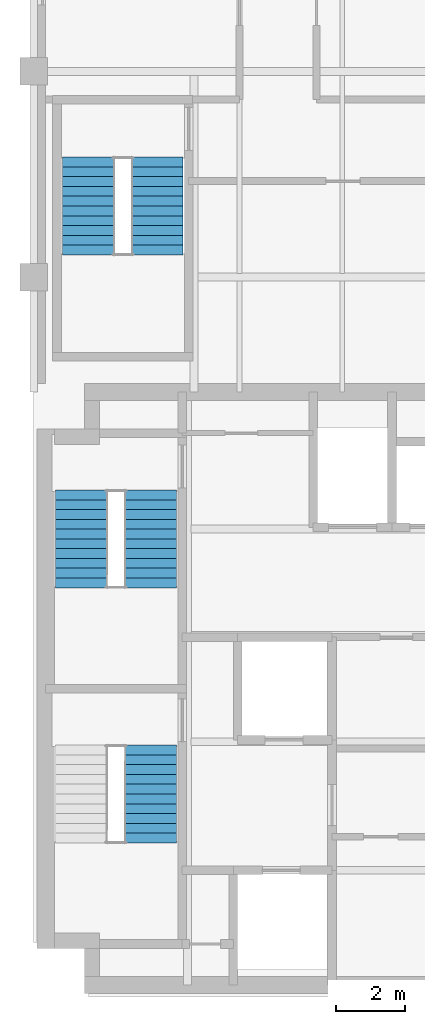
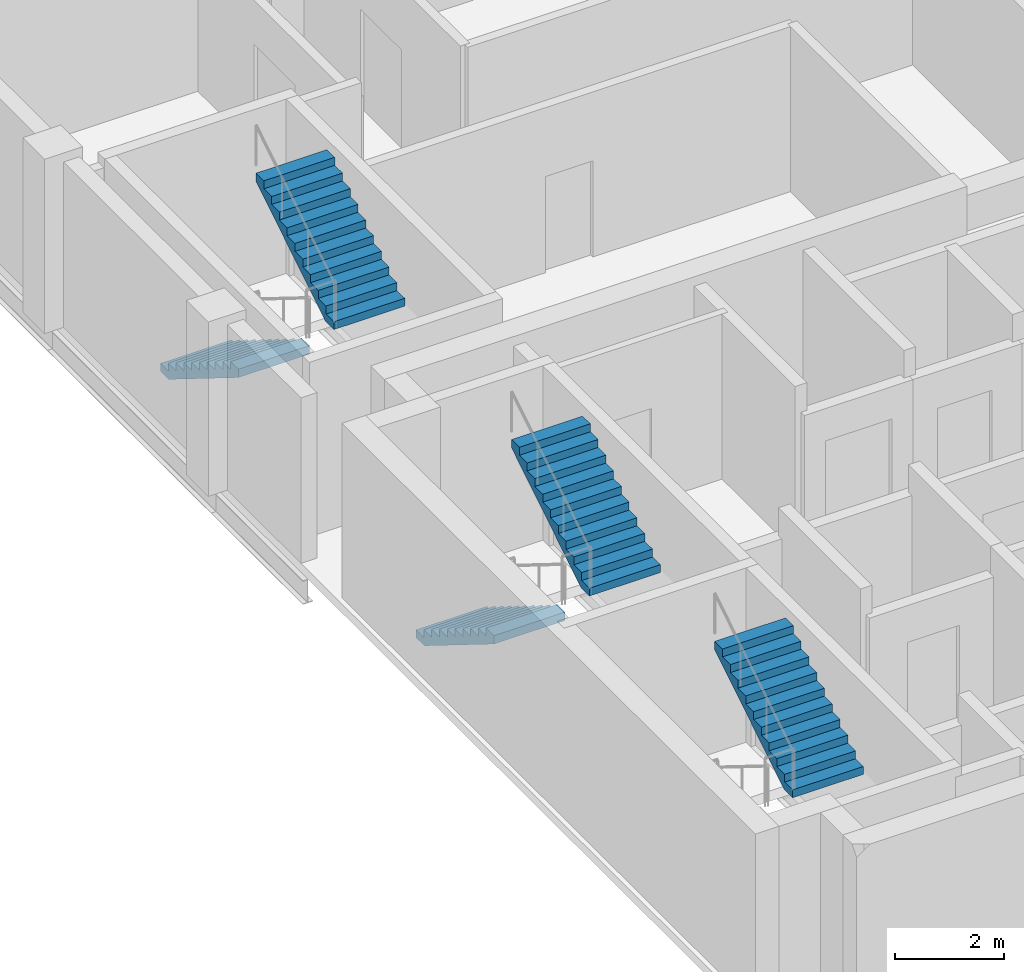
# One storey, part 5 of 6: 5 stair flights, 3 elements without a shape of their own.
"""IFC4 building model written with IfcOpenShell, lengths in metres."""

from ifc_helpers import new_model, si_unit, direction, frame, origin, place, context, subcontext, project, spatial, polyline, outline, extrude, material, type_object, element, aggregate, save


model = new_model("IFC4")

# Units and contexts
model_context = context("Model", 3, precision=1e-05, world=origin(), true_north=direction((0.0, 1.0)))
body_context = subcontext(model_context, "Body", "Model", "MODEL_VIEW")
ifc_project = project(units=[si_unit("LENGTHUNIT", "METRE"), si_unit("AREAUNIT", "SQUARE_METRE"), si_unit("VOLUMEUNIT", "CUBIC_METRE"), si_unit("PLANEANGLEUNIT", "RADIAN"), si_unit("MASSUNIT", "GRAM", prefix="KILO")], contexts=[model_context])

# Site, building, storey
site_placement = place(None, origin())
site = spatial("IfcSite", under=ifc_project, at=site_placement, CompositionType="ELEMENT")
building_placement = place(site_placement, origin())
building = spatial("IfcBuilding", under=site, at=building_placement, Name="Mawjdan Bourse Tower", CompositionType="ELEMENT")
storey_placement = place(building_placement, frame((0.0, 0.0, 243.0)))
storey = spatial("IfcBuildingStorey", under=building, at=storey_placement, Name="L59", CompositionType="ELEMENT", Elevation=243.0)

# Stair, stair flight
ifc_material = material(Name="Concrete C50/60", Category="concrete")
stair_type = type_object("IfcStairType", Name="STR-CORE-1500", PredefinedType="HALF_TURN_STAIR", material=ifc_material)
stair_1_placement = place(storey_placement, origin())
stair_1 = element("IfcStair", 1, at=stair_1_placement, inside=storey, type_object=stair_type, Name="L59 Exit Stair 1 (Core South-West)", PredefinedType="HALF_TURN_STAIR")
stair_flight_type = type_object("IfcStairFlightType", Name="SFL-RC-1500", PredefinedType="STRAIGHT", material=ifc_material)
stair_flight_1_placement = place(storey_placement, frame((9.409912109375, 7.5, 1.949951171875), z_axis=(0.0, 0.0, 1.0), x_axis=(0.0, 1.0, 0.0)))
stair_flight_1 = element("IfcStairFlight", 2, at=stair_flight_1_placement, type_object=stair_flight_type, Name="ST1-L59 flight 2", NumberOfRisers=11, NumberOfTreads=10, PredefinedType="STRAIGHT", RiserHeight=0.177273, TreadLength=0.285, context=body_context, shape_type="SweptSolid", body=[
    extrude(outline(polyline([(0.0, 0.0), (0.0, 0.17724609375), (0.284912109375, 0.17724609375), (0.284912109375, 0.3544921875), (0.570068359375, 0.3544921875), (0.570068359375, 0.53173828125), (0.85498046875, 0.53173828125), (0.85498046875, 0.708984375), (1.139892578125, 0.708984375), (1.139892578125, 0.886474609375), (1.425048828125, 0.886474609375), (1.425048828125, 1.063720703125), (1.7099609375, 1.063720703125), (1.7099609375, 1.240966796875), (1.9951171875, 1.240966796875), (1.9951171875, 1.418212890625), (2.280029296875, 1.418212890625), (2.280029296875, 1.595458984375), (2.56494140625, 1.595458984375), (2.56494140625, 1.772705078125), (2.85009765625, 1.772705078125), (2.85009765625, 1.949951171875), (2.85009765625, 1.58447265625), (0.302734375, 0.0), (0.0, 0.0)])), frame((0.0, 0.75, 0.0), z_axis=(0.0, -1.0, 0.0), x_axis=(1.0, 0.0, 0.0)), (0.0, 0.0, 1.0), 1.5),
])
aggregate(stair_1, [stair_flight_1])

# Stair, stair flights
stair_2_placement = place(storey_placement, origin())
stair_2 = element("IfcStair", 3, at=stair_2_placement, inside=storey, type_object=stair_type, Name="L59 Exit Stair 2 (Core North-West)", PredefinedType="HALF_TURN_STAIR")
stair_flight_2_placement = place(storey_placement, frame((7.389892578125, 17.7900390625, 0.0), z_axis=(0.0, 0.0, 1.0), x_axis=(0.0, -1.0, 0.0)))
stair_flight_2 = element("IfcStairFlight", 4, at=stair_flight_2_placement, type_object=stair_flight_type, Name="ST2-L59 flight 1", NumberOfRisers=11, NumberOfTreads=10, PredefinedType="STRAIGHT", RiserHeight=0.177273, TreadLength=0.285, context=body_context, shape_type="SweptSolid", body=[
    extrude(outline(polyline([(0.0, 0.0), (0.0, 0.17724609375), (0.284912109375, 0.17724609375), (0.284912109375, 0.3544921875), (0.570068359375, 0.3544921875), (0.570068359375, 0.53173828125), (0.85498046875, 0.53173828125), (0.85498046875, 0.708984375), (1.139892578125, 0.708984375), (1.139892578125, 0.886474609375), (1.425048828125, 0.886474609375), (1.425048828125, 1.063720703125), (1.7099609375, 1.063720703125), (1.7099609375, 1.240966796875), (1.9951171875, 1.240966796875), (1.9951171875, 1.418212890625), (2.280029296875, 1.418212890625), (2.280029296875, 1.595458984375), (2.56494140625, 1.595458984375), (2.56494140625, 1.772705078125), (2.85009765625, 1.772705078125), (2.85009765625, 1.949951171875), (2.85009765625, 1.58447265625), (0.302734375, 0.0), (0.0, 0.0)])), frame((0.0, 0.75, 0.0), z_axis=(0.0, -1.0, 0.0), x_axis=(1.0, 0.0, 0.0)), (0.0, 0.0, 1.0), 1.5),
])
stair_flight_3_placement = place(storey_placement, frame((9.409912109375, 14.93994140625, 1.949951171875), z_axis=(0.0, 0.0, 1.0), x_axis=(0.0, 1.0, 0.0)))
stair_flight_3 = element("IfcStairFlight", 5, at=stair_flight_3_placement, type_object=stair_flight_type, Name="ST2-L59 flight 2", NumberOfRisers=11, NumberOfTreads=10, PredefinedType="STRAIGHT", RiserHeight=0.177273, TreadLength=0.285, context=body_context, shape_type="SweptSolid", body=[
    extrude(outline(polyline([(0.0, 0.0), (0.0, 0.17724609375), (0.284912109375, 0.17724609375), (0.284912109375, 0.3544921875), (0.570068359375, 0.3544921875), (0.570068359375, 0.53173828125), (0.85498046875, 0.53173828125), (0.85498046875, 0.708984375), (1.139892578125, 0.708984375), (1.139892578125, 0.886474609375), (1.425048828125, 0.886474609375), (1.425048828125, 1.063720703125), (1.7099609375, 1.063720703125), (1.7099609375, 1.240966796875), (1.9951171875, 1.240966796875), (1.9951171875, 1.418212890625), (2.280029296875, 1.418212890625), (2.280029296875, 1.595458984375), (2.56494140625, 1.595458984375), (2.56494140625, 1.772705078125), (2.85009765625, 1.772705078125), (2.85009765625, 1.949951171875), (2.85009765625, 1.58447265625), (0.302734375, 0.0), (0.0, 0.0)])), frame((0.0, 0.75, 0.0), z_axis=(0.0, -1.0, 0.0), x_axis=(1.0, 0.0, 0.0)), (0.0, 0.0, 1.0), 1.5),
])
aggregate(stair_2, [stair_flight_2, stair_flight_3])

stair_3_placement = place(storey_placement, origin())
stair_3 = element("IfcStair", 6, at=stair_3_placement, inside=storey, type_object=stair_type, Name="L59 Exit Stair 3 (North Wing)", PredefinedType="HALF_TURN_STAIR")
stair_flight_4_placement = place(storey_placement, frame((7.590087890625, 27.5, 0.0), z_axis=(0.0, 0.0, 1.0), x_axis=(0.0, -1.0, 0.0)))
stair_flight_4 = element("IfcStairFlight", 7, at=stair_flight_4_placement, type_object=stair_flight_type, Name="ST3-L59 flight 1", NumberOfRisers=11, NumberOfTreads=10, PredefinedType="STRAIGHT", RiserHeight=0.177273, TreadLength=0.285, context=body_context, shape_type="SweptSolid", body=[
    extrude(outline(polyline([(0.0, 0.0), (0.0, 0.17724609375), (0.284912109375, 0.17724609375), (0.284912109375, 0.3544921875), (0.570068359375, 0.3544921875), (0.570068359375, 0.53173828125), (0.85498046875, 0.53173828125), (0.85498046875, 0.708984375), (1.139892578125, 0.708984375), (1.139892578125, 0.886474609375), (1.425048828125, 0.886474609375), (1.425048828125, 1.063720703125), (1.7099609375, 1.063720703125), (1.7099609375, 1.240966796875), (1.9951171875, 1.240966796875), (1.9951171875, 1.418212890625), (2.280029296875, 1.418212890625), (2.280029296875, 1.595458984375), (2.56494140625, 1.595458984375), (2.56494140625, 1.772705078125), (2.85009765625, 1.772705078125), (2.85009765625, 1.949951171875), (2.85009765625, 1.58447265625), (0.302734375, 0.0), (0.0, 0.0)])), frame((0.0, 0.75, 0.0), z_axis=(0.0, -1.0, 0.0), x_axis=(1.0, 0.0, 0.0)), (0.0, 0.0, 1.0), 1.5),
])
stair_flight_5_placement = place(storey_placement, frame((9.610107421875, 24.64990234375, 1.949951171875), z_axis=(0.0, 0.0, 1.0), x_axis=(0.0, 1.0, 0.0)))
stair_flight_5 = element("IfcStairFlight", 8, at=stair_flight_5_placement, type_object=stair_flight_type, Name="ST3-L59 flight 2", NumberOfRisers=11, NumberOfTreads=10, PredefinedType="STRAIGHT", RiserHeight=0.177273, TreadLength=0.285, context=body_context, shape_type="SweptSolid", body=[
    extrude(outline(polyline([(0.0, 0.0), (0.0, 0.17724609375), (0.284912109375, 0.17724609375), (0.284912109375, 0.3544921875), (0.570068359375, 0.3544921875), (0.570068359375, 0.53173828125), (0.85498046875, 0.53173828125), (0.85498046875, 0.708984375), (1.139892578125, 0.708984375), (1.139892578125, 0.886474609375), (1.425048828125, 0.886474609375), (1.425048828125, 1.063720703125), (1.7099609375, 1.063720703125), (1.7099609375, 1.240966796875), (1.9951171875, 1.240966796875), (1.9951171875, 1.418212890625), (2.280029296875, 1.418212890625), (2.280029296875, 1.595458984375), (2.56494140625, 1.595458984375), (2.56494140625, 1.772705078125), (2.85009765625, 1.772705078125), (2.85009765625, 1.949951171875), (2.85009765625, 1.58447265625), (0.302734375, 0.0), (0.0, 0.0)])), frame((0.0, 0.75, 0.0), z_axis=(0.0, -1.0, 0.0), x_axis=(1.0, 0.0, 0.0)), (0.0, 0.0, 1.0), 1.5),
])
aggregate(stair_3, [stair_flight_4, stair_flight_5])

save(model, "model.ifc")
